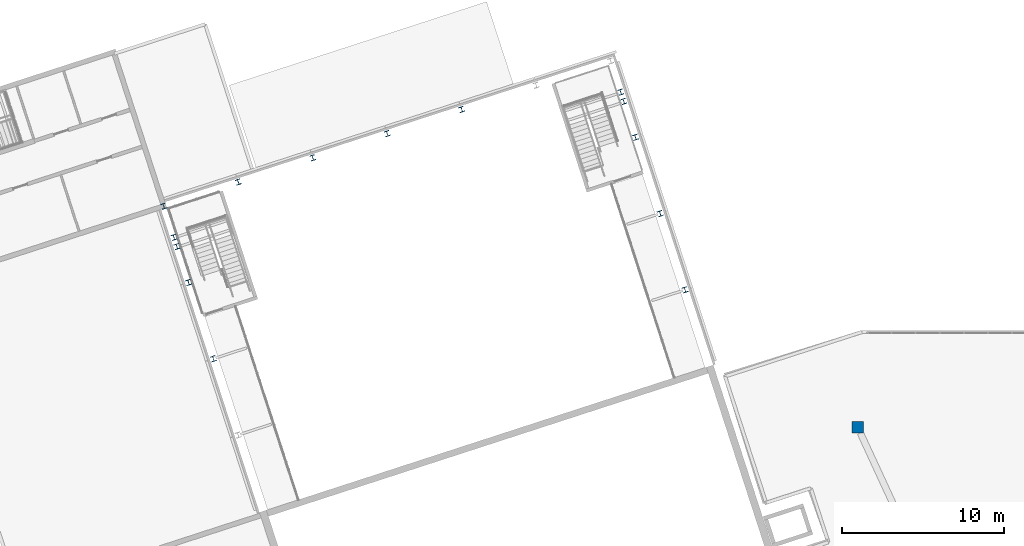
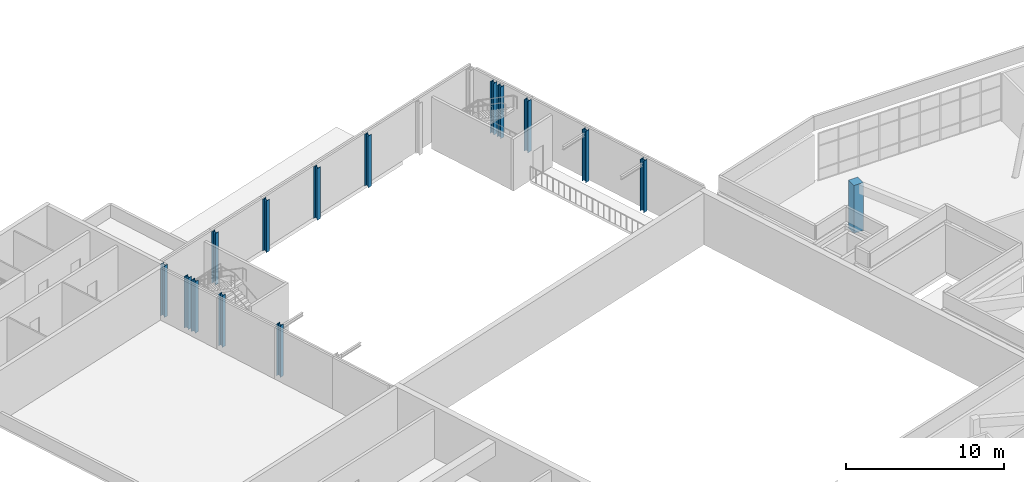
# One storey, part 2 of 72: 15 columns.
"""IFC4 building model written with IfcOpenShell, lengths in metres."""

from ifc_helpers import new_model, si_unit, direction, frame, origin, origin_2d, place, context, subcontext, project, spatial, rectangle, i_section, extrude, material, material_profile, profile_set, type_object, element, save


model = new_model("IFC4")

# Units and contexts
model_context = context("Model", 3, precision=1e-05, world=origin(), true_north=direction((0.0, 1.0)))
body_context = subcontext(model_context, "Body", "Model", "MODEL_VIEW")
ifc_project = project(units=[si_unit("LENGTHUNIT", "METRE"), si_unit("AREAUNIT", "SQUARE_METRE"), si_unit("VOLUMEUNIT", "CUBIC_METRE"), si_unit("PLANEANGLEUNIT", "RADIAN"), si_unit("MASSUNIT", "GRAM", prefix="KILO")], contexts=[model_context])

# Site, building, storey
site_placement = place(None, origin())
site = spatial("IfcSite", under=ifc_project, at=site_placement, CompositionType="ELEMENT")
building_placement = place(site_placement, origin())
building = spatial("IfcBuilding", under=site, at=building_placement, Name="Tuart Plaza Theatre", CompositionType="ELEMENT")
storey_placement = place(building_placement, frame((0.0, 0.0, 13.5)))
storey = spatial("IfcBuildingStorey", under=building, at=storey_placement, Name="L03", CompositionType="ELEMENT", Elevation=13.5)

# Columns
ifc_material_1 = material(Name="Steel Grade 300", Category="steel")
ifc_material_profile_1 = material_profile(ifc_material_1, i_section(OverallWidth=0.31103515625, OverallDepth=0.326904296875, WebThickness=0.015625, FlangeThickness=0.02490234375, FilletRadius=0.0166015625, at=origin_2d()), Name="310UC158")
ifc_profile_set_1 = profile_set([ifc_material_profile_1], Name="Steel Grade 300")
column_type_1 = type_object("IfcColumnType", Name="COLUMN 310UC158", PredefinedType="COLUMN", material=ifc_profile_set_1)
for number, where, z_axis, x_axis, name in (
    (1, (35.976806640625, 85.158935546875, 0.0), (0.0, 0.0, 1.0), (0.951056516295, 0.309016994375, 0.0), "SC1"),
    (2, (35.79150390625, 85.7294921875, 0.0), (0.0, 0.0, 1.0), (0.951056516295, 0.309016994375, 0.0), "SC2"),
    (3, (63.557373046875, 94.120361328125, 0.0), (0.0, 0.0, 1.0), (0.951056516295, 0.309016994375, 0.0), "SC3"),
    (4, (63.3720703125, 94.691162109375, 0.0), (0.0, 0.0, 1.0), (0.951056516295, 0.309016994375, 0.0), "SC4"),
    (5, (67.336669921875, 82.489013671875, 0.0), (0.0, 0.0, 1.0), (0.951056516295, 0.309016994375, 0.0), "SC6"),
    (6, (38.2265625, 78.2353515625, 0.0), (0.0, 0.0, 1.0), (0.951056516295, 0.309016994375, 0.0), "SC7"),
    (7, (65.80712890625, 87.19677734375, 0.0), (0.0, 0.0, 1.0), (0.951056516295, 0.309016994375, 0.0), "SC8"),
    (8, (36.69677734375, 82.94287109375, 0.0), (0.0, 0.0, 1.0), (0.951056516295, 0.309016994375, 0.0), "SC9"),
    (9, (64.27734375, 91.904541015625, 0.0), (0.0, 0.0, 1.0), (0.951056516295, 0.309016994375, 0.0), "SC10"),
    (10, (35.167236328125, 87.650634765625, 0.0), (0.0, 0.0, 1.0), (0.951056516295, 0.309016994375, 0.0), "SC11"),
    (11, (39.763916015625, 89.144287109375, 0.0), (0.0, 0.0, 1.0), (0.951056516295, 0.309016994375, 0.0), "SC12"),
    (12, (44.36083984375, 90.637939453125, 0.0), (0.0, 0.0, 1.0), (0.951056516295, 0.309016994375, 0.0), "SC13"),
    (13, (48.95751953125, 92.13134765625, 0.0), (0.0, 0.0, 1.0), (0.951056516295, 0.309016994375, 0.0), "SC14"),
    (14, (53.55419921875, 93.625, 0.0), (0.0, 0.0, 1.0), (0.951056516295, 0.309016994375, 0.0), "SC15"),
):
    element("IfcColumn", number, at=place(storey_placement, frame(where, z_axis=z_axis, x_axis=x_axis)), inside=storey, type_object=column_type_1, Name=name, PredefinedType="COLUMN", context=body_context, shape_type="SweptSolid", body=[
        extrude(i_section(OverallWidth=0.31103515625, OverallDepth=0.326904296875, WebThickness=0.015625, FlangeThickness=0.02490234375, FilletRadius=0.0166015625, at=origin_2d()), origin(), (0.0, 0.0, 1.0), 4.0),
    ])
ifc_material_2 = material(Name="Concrete N50 (50 MPa)", Category="concrete")
ifc_material_profile_2 = material_profile(ifc_material_2, rectangle(XDim=0.699951171875, YDim=0.699951171875, at=origin_2d()), Name="COLUMN 700x700 Concrete N50 (50 MPa)")
ifc_profile_set_2 = profile_set([ifc_material_profile_2], Name="Concrete N50 (50 MPa)")
column_type_2 = type_object("IfcColumnType", Name="COLUMN 700x700 Concrete N50 (50 MPa)", PredefinedType="COLUMN", material=ifc_profile_set_2)
column_placement = place(storey_placement, frame((78.0, 74.0, 0.0), z_axis=(0.0, 0.0, 1.0), x_axis=(1.0, 0.0, 0.0)))
element("IfcColumn", 15, at=column_placement, inside=storey, type_object=column_type_2, Name="C31", PredefinedType="COLUMN", context=body_context, shape_type="SweptSolid", body=[
    extrude(rectangle(XDim=0.699951171875, YDim=0.699951171875, at=origin_2d()), origin(), (0.0, 0.0, 1.0), 3.699951171875),
])

save(model, "model.ifc")
